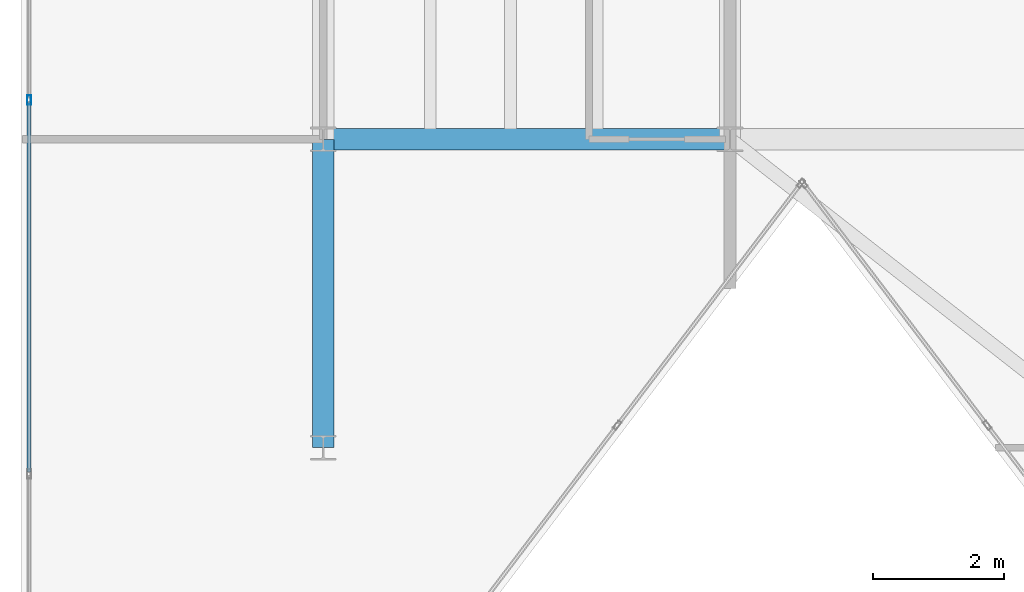
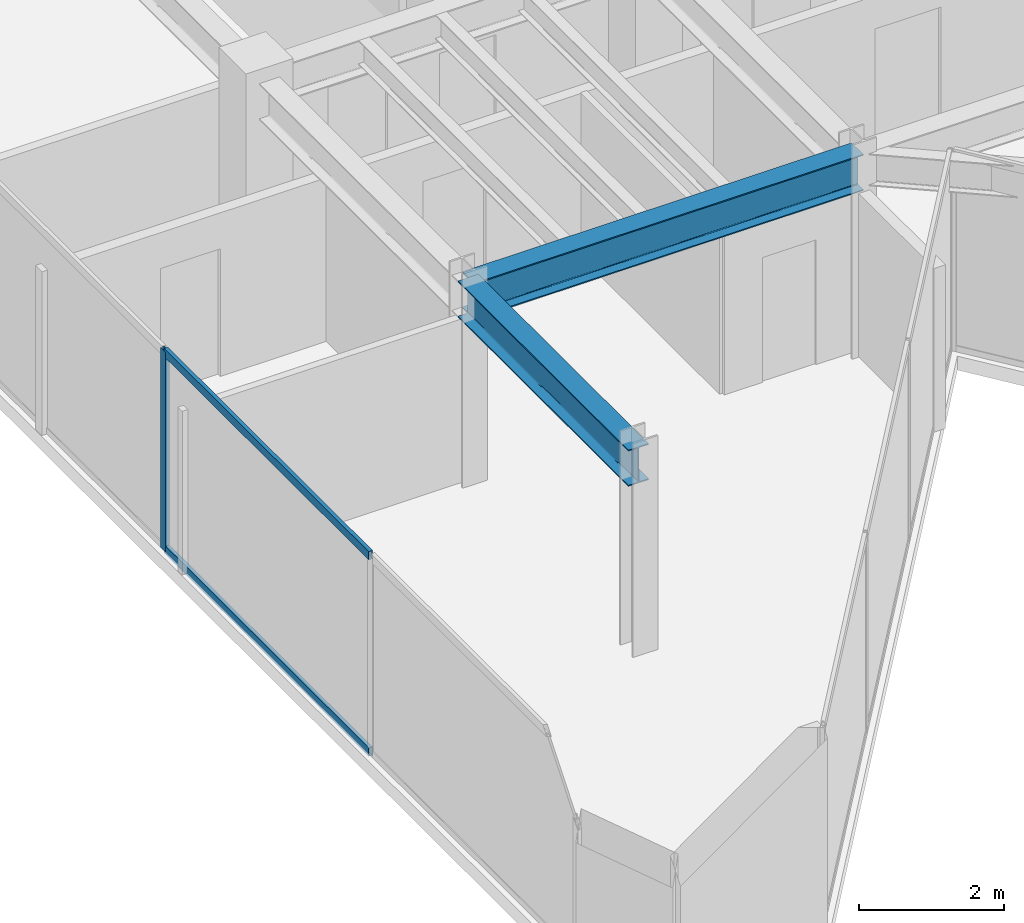
# One storey, part 4 of 16: 3 members, 2 beams, 1 element without a shape of its own.
"""IFC4 building model written with IfcOpenShell, lengths in metres."""

from ifc_helpers import new_model, si_unit, direction, frame, origin, origin_2d, place, context, subcontext, project, spatial, hollow_rectangle, i_section, extrude, material, layer, layer_set, material_profile, profile_set, type_object, element, aggregate, save


model = new_model("IFC4")

# Units and contexts
model_context = context("Model", 3, precision=1e-05, world=origin(), true_north=direction((0.0, 1.0)))
body_context = subcontext(model_context, "Body", "Model", "MODEL_VIEW")
ifc_project = project(units=[si_unit("LENGTHUNIT", "METRE"), si_unit("AREAUNIT", "SQUARE_METRE"), si_unit("VOLUMEUNIT", "CUBIC_METRE"), si_unit("PLANEANGLEUNIT", "RADIAN"), si_unit("MASSUNIT", "GRAM", prefix="KILO")], contexts=[model_context])

# Site, building, storey
site_placement = place(None, origin())
site = spatial("IfcSite", under=ifc_project, at=site_placement, CompositionType="ELEMENT")
building_placement = place(site_placement, origin())
building = spatial("IfcBuilding", under=site, at=building_placement, Name="Kravanh Interchange Tower", CompositionType="ELEMENT")
storey_placement = place(building_placement, frame((0.0, 0.0, 300.300048828125)))
storey = spatial("IfcBuildingStorey", under=building, at=storey_placement, Name="L74", CompositionType="ELEMENT", Elevation=300.300048828125)

# Curtain wall, members
ifc_material_1 = material(Name="Anodised Bronze Aluminium", Category="aluminium")
ifc_layer = layer(ifc_material_1, 0.179931640625)
ifc_layer_set = layer_set([ifc_layer], Name="Unitised Curtain Wall System CW-HTL Luxury Hotel")
curtain_wall_type = type_object("IfcCurtainWallType", Name="Unitised Curtain Wall System CW-HTL Luxury Hotel", PredefinedType="NOTDEFINED", material=ifc_layer_set)
curtain_wall_placement = place(storey_placement, origin())
curtain_wall = element("IfcCurtainWall", 1, at=curtain_wall_placement, inside=storey, type_object=curtain_wall_type, Name="L74 Unitised Curtain Wall CW-L74-01", PredefinedType="NOTDEFINED")
ifc_material_2 = material(Name="Anodised Bronze Aluminium", Category="aluminium")
ifc_material_profile_1 = material_profile(ifc_material_2, hollow_rectangle(XDim=0.06005859375, YDim=0.139892578125, WallThickness=0.00390625, at=origin_2d()), Name="ALU60X140X4")
ifc_profile_set_1 = profile_set([ifc_material_profile_1], Name="Anodised Bronze Aluminium")
member_type_1 = type_object("IfcMemberType", Name="Curtain Wall Mullion ALU60X140X4 Bronze", PredefinedType="MULLION", material=ifc_profile_set_1)
member_1_placement = place(storey_placement, frame((34.1201171875, 32.099853515625, 0.0), z_axis=(0.0, 0.0, 1.0), x_axis=(-1.0, 0.0, 0.0)))
member_1 = element("IfcMember", 2, at=member_1_placement, type_object=member_type_1, Name="CW-HTL mullion 3", PredefinedType="MULLION", context=body_context, shape_type="SweptSolid", body=[
    extrude(hollow_rectangle(XDim=0.06005859375, YDim=0.139892578125, WallThickness=0.00390625, at=origin_2d()), origin(), (0.0, 0.0, 1.0), 3.364990234375),
])
ifc_material_3 = material(Name="Anodised Bronze Aluminium", Category="aluminium")
ifc_material_profile_2 = material_profile(ifc_material_3, hollow_rectangle(XDim=0.06005859375, YDim=0.139892578125, WallThickness=0.00390625, at=origin_2d()), Name="ALU60X140X4")
ifc_profile_set_2 = profile_set([ifc_material_profile_2], Name="Anodised Bronze Aluminium")
member_type_2 = type_object("IfcMemberType", Name="Curtain Wall Transom ALU60X140X4 Bronze", PredefinedType="USERDEFINED", material=ifc_profile_set_2)
member_2_placement = place(storey_placement, frame((34.1201171875, 26.4296875, 0.030029296875), z_axis=(0.0, 1.0, 0.0), x_axis=(-1.0, 0.0, 0.0)))
member_2 = element("IfcMember", 3, at=member_2_placement, type_object=member_type_2, Name="CW-HTL transom 2.1", ObjectType="TRANSOM", PredefinedType="USERDEFINED", context=body_context, shape_type="SweptSolid", body=[
    extrude(hollow_rectangle(XDim=0.06005859375, YDim=0.139892578125, WallThickness=0.00390625, at=origin_2d()), origin(), (0.0, 0.0, 1.0), 5.64013671875),
])
member_3_placement = place(storey_placement, frame((34.1201171875, 26.4296875, 3.3349609375), z_axis=(0.0, 1.0, 0.0), x_axis=(-1.0, 0.0, 0.0)))
member_3 = element("IfcMember", 4, at=member_3_placement, type_object=member_type_2, Name="CW-HTL transom 2.2", ObjectType="TRANSOM", PredefinedType="USERDEFINED", context=body_context, shape_type="SweptSolid", body=[
    extrude(hollow_rectangle(XDim=0.06005859375, YDim=0.139892578125, WallThickness=0.00390625, at=origin_2d()), origin(), (0.0, 0.0, 1.0), 5.64013671875),
])
aggregate(curtain_wall, [member_1, member_2, member_3])

# Beams
ifc_material_4 = material(Name="Structural Steel S355", Category="steel")
ifc_material_profile_3 = material_profile(ifc_material_4, i_section(OverallWidth=0.323974609375, OverallDepth=0.611083984375, WebThickness=0.0126953125, FlangeThickness=0.01904296875, FilletRadius=0.02197265625, at=origin_2d()), Name="W24X104")
ifc_profile_set_3 = profile_set([ifc_material_profile_3], Name="Structural Steel S355")
beam_type = type_object("IfcBeamType", Name="Floor Beam W24X104 Structural Steel S355", PredefinedType="BEAM", material=ifc_profile_set_3)
beam_1_placement = place(storey_placement, frame((44.800048828125, 31.5, 3.0595703125), z_axis=(-1.0, 0.0, 0.0), x_axis=(0.0, -1.0, 0.0)))
element("IfcBeam", 5, at=beam_1_placement, inside=storey, type_object=beam_type, Name="L74 Primary Floor Girder 3", PredefinedType="BEAM", context=body_context, shape_type="SweptSolid", body=[
    extrude(i_section(OverallWidth=0.323974609375, OverallDepth=0.611083984375, WebThickness=0.0126953125, FlangeThickness=0.01904296875, FilletRadius=0.02197265625, at=origin_2d()), origin(), (0.0, 0.0, 1.0), 6.199951171875),
])
beam_2_placement = place(storey_placement, frame((38.60009765625, 31.5, 3.0595703125), z_axis=(0.0, -1.0, 0.0), x_axis=(1.0, 0.0, 0.0)))
element("IfcBeam", 6, at=beam_2_placement, inside=storey, type_object=beam_type, Name="L74 Primary Floor Girder 17", PredefinedType="BEAM", context=body_context, shape_type="SweptSolid", body=[
    extrude(i_section(OverallWidth=0.323974609375, OverallDepth=0.611083984375, WebThickness=0.0126953125, FlangeThickness=0.01904296875, FilletRadius=0.02197265625, at=origin_2d()), origin(), (0.0, 0.0, 1.0), 4.699951171875),
])

save(model, "model.ifc")
